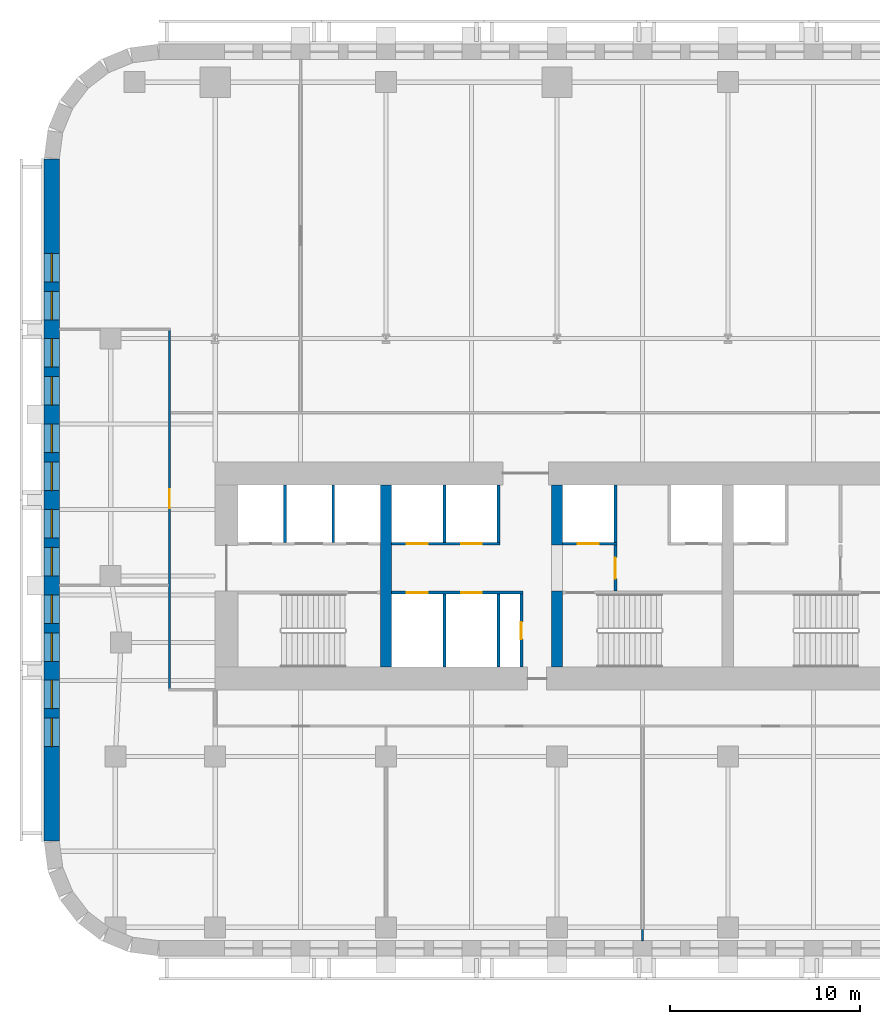
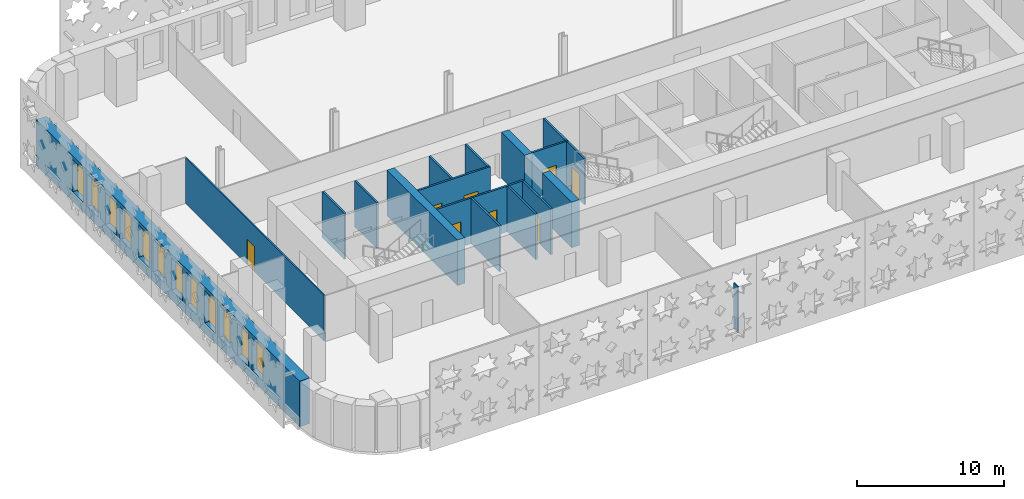
# One storey, part 3 of 13: 18 walls, 12 windows, 8 doors, 20 openings.
"""IFC4 building model written with IfcOpenShell, lengths in metres."""

from ifc_helpers import new_model, si_unit, direction, frame, frame_2d, origin, place, context, subcontext, project, spatial, rectangle, extrude, material, layer, layer_set, type_object, element, fill, save


model = new_model("IFC4")

# Units and contexts
model_context = context("Model", 3, precision=1e-05, world=origin(), true_north=direction((0.0, 1.0)))
body_context = subcontext(model_context, "Body", "Model", "MODEL_VIEW")
ifc_project = project(units=[si_unit("LENGTHUNIT", "METRE"), si_unit("AREAUNIT", "SQUARE_METRE"), si_unit("VOLUMEUNIT", "CUBIC_METRE"), si_unit("PLANEANGLEUNIT", "RADIAN"), si_unit("MASSUNIT", "GRAM", prefix="KILO")], contexts=[model_context])

# Site, building, storey
site_placement = place(None, origin())
site = spatial("IfcSite", under=ifc_project, at=site_placement, CompositionType="ELEMENT")
building_placement = place(site_placement, origin())
building = spatial("IfcBuilding", under=site, at=building_placement, Name="Zellij Exchange Tower", CompositionType="ELEMENT")
storey_placement = place(building_placement, frame((0.0, 0.0, 60.5)))
storey = spatial("IfcBuildingStorey", under=building, at=storey_placement, Name="L11", CompositionType="ELEMENT", Elevation=60.5)

# Walls
ifc_material_1 = material(Name="Concrete C70/85", Category="concrete")
ifc_layer_1 = layer(ifc_material_1, 0.60009765625)
ifc_layer_set_1 = layer_set([ifc_layer_1], Name="Concrete C70/85")
wall_type_1 = type_object("IfcWallType", Name="CORE-CW 600 C70/85", PredefinedType="SHEAR", material=ifc_layer_set_1)
wall_1_placement = place(storey_placement, frame((-18.0, -12.800048828125, 0.0), z_axis=(0.0, 0.0, 1.0), x_axis=(0.0, 1.0, 0.0)))
element("IfcWall", 1, at=wall_1_placement, inside=storey, type_object=wall_type_1, Name="Core cross wall x -18 L11", PredefinedType="SHEAR", context=body_context, shape_type="SweptSolid", body=[
    extrude(rectangle(XDim=9.60009765625, YDim=0.60009765625, at=frame_2d((4.800048828125, 0.0))), origin(), (0.0, 0.0, 1.0), 3.800048828125),
])
wall_2_placement = place(storey_placement, frame((-9.0, -12.800048828125, 0.0), z_axis=(0.0, 0.0, 1.0), x_axis=(0.0, 1.0, 0.0)))
element("IfcWall", 2, at=wall_2_placement, inside=storey, type_object=wall_type_1, Name="Core cross wall pier x -9 a L11", PredefinedType="SHEAR", context=body_context, shape_type="SweptSolid", body=[
    extrude(rectangle(XDim=4.0, YDim=0.60009765625, at=frame_2d((2.0, 0.0))), origin(), (0.0, 0.0, 1.0), 3.800048828125),
])
wall_3_placement = place(storey_placement, frame((-9.0, -6.375, 0.0), z_axis=(0.0, 0.0, 1.0), x_axis=(0.0, 1.0, 0.0)))
element("IfcWall", 3, at=wall_3_placement, inside=storey, type_object=wall_type_1, Name="Core cross wall pier x -9 b L11", PredefinedType="SHEAR", context=body_context, shape_type="SweptSolid", body=[
    extrude(rectangle(XDim=3.175048828125, YDim=0.60009765625, at=frame_2d((1.58740234375, 0.0))), origin(), (0.0, 0.0, 1.0), 3.800048828125),
])

# Wall, opening, door
ifc_material_2 = material(Name="Gypsum shaft wall system")
ifc_layer_2 = layer(ifc_material_2, 0.14990234375)
ifc_layer_set_2 = layer_set([ifc_layer_2], Name="Gypsum shaft wall system")
wall_type_2 = type_object("IfcWallType", Name="CORE-PW 150 Firefighting lobby wall", PredefinedType="PARTITIONING", material=ifc_layer_set_2)
wall_4_placement = place(storey_placement, frame((-5.925048828125, -8.800048828125, 0.0), z_axis=(0.0, 0.0, 1.0), x_axis=(0.0, 1.0, 0.0)))
wall_4 = element("IfcWall", 4, at=wall_4_placement, inside=storey, type_object=wall_type_2, Name="Firefighting lobby wall L11", PredefinedType="PARTITIONING", context=body_context, shape_type="SweptSolid", body=[
    extrude(rectangle(XDim=2.425048828125, YDim=0.14990234375, at=frame_2d((1.21240234375, 0.0))), origin(), (0.0, 0.0, 1.0), 3.800048828125),
])
opening_1_placement = place(wall_4_placement, frame((0.662109375, 0.0, 0.0)))
opening_1 = element("IfcOpeningElement", 5, at=opening_1_placement, cuts=wall_4, Name="Opening CA-07.15", PredefinedType="OPENING", context=body_context, shape_type="SweptSolid", body=[
    extrude(rectangle(XDim=1.10009765625, YDim=2.10009765625, at=frame_2d((0.550048828125, 1.050048828125))), frame((0.0, 0.0869140625, 0.0), z_axis=(0.0, -1.0, 0.0), x_axis=(1.0, 0.0, 0.0)), (0.0, 0.0, 1.0), 0.173828125),
])
ifc_material_3 = material(Name="Hollow metal fire door")
door_type_1 = type_object("IfcDoorType", Name="CORE-D F Firefighting lobby door 1100x2100 1 HR", OperationType="NOTDEFINED", PredefinedType="DOOR", material=ifc_material_3)
door_1_placement = place(opening_1_placement, origin())
door_1 = element("IfcDoor", 6, at=door_1_placement, inside=storey, type_object=door_type_1, Name="Firefighting lobby door CA-07.15", OperationType="SINGLE_SWING_LEFT", OverallHeight=2.10009765625, OverallWidth=1.10009765625, PredefinedType="DOOR", context=body_context, shape_type="SweptSolid", body=[
    extrude(rectangle(XDim=1.10009765625, YDim=2.10009765625, at=frame_2d((0.550048828125, 1.050048828125))), frame((0.0, 0.02490234375, 0.0), z_axis=(0.0, -1.0, 0.0), x_axis=(1.0, 0.0, 0.0)), (0.0, 0.0, 1.0), 0.050048828125),
])
fill(opening_1, door_1)

ifc_material_4 = material(Name="Gypsum board partition")
ifc_layer_3 = layer(ifc_material_4, 0.14990234375)
ifc_layer_set_3 = layer_set([ifc_layer_3], Name="Gypsum board partition")
wall_type_3 = type_object("IfcWallType", Name="CORE-PW 150 Lift lobby wall", PredefinedType="PARTITIONING", material=ifc_layer_set_3)
wall_5_placement = place(storey_placement, frame((-10.875, -12.800048828125, 0.0), z_axis=(0.0, 0.0, 1.0), x_axis=(0.0, 1.0, 0.0)))
wall_5 = element("IfcWall", 7, at=wall_5_placement, inside=storey, type_object=wall_type_3, Name="Lift lobby wall L11", PredefinedType="PARTITIONING", context=body_context, shape_type="SweptSolid", body=[
    extrude(rectangle(XDim=3.85009765625, YDim=0.14990234375, at=frame_2d((1.925048828125, 0.0))), origin(), (0.0, 0.0, 1.0), 3.800048828125),
])
opening_2_placement = place(wall_5_placement, frame((1.47509765625, 0.0, 0.0)))
opening_2 = element("IfcOpeningElement", 8, at=opening_2_placement, cuts=wall_5, Name="Opening CA-07.10", PredefinedType="OPENING", context=body_context, shape_type="SweptSolid", body=[
    extrude(rectangle(XDim=0.89990234375, YDim=2.10009765625, at=frame_2d((0.449951171875, 1.050048828125))), frame((0.0, 0.0869140625, 0.0), z_axis=(0.0, -1.0, 0.0), x_axis=(1.0, 0.0, 0.0)), (0.0, 0.0, 1.0), 0.173828125),
])
door_type_2 = type_object("IfcDoorType", Name="CORE-D RD Riser door 900x2100 1.5 HR", OperationType="NOTDEFINED", PredefinedType="DOOR", material=ifc_material_3)
door_2_placement = place(opening_2_placement, origin())
door_2 = element("IfcDoor", 9, at=door_2_placement, inside=storey, type_object=door_type_2, Name="Riser door CA-07.10", OperationType="SINGLE_SWING_RIGHT", OverallHeight=2.10009765625, OverallWidth=0.89990234375, PredefinedType="DOOR", context=body_context, shape_type="SweptSolid", body=[
    extrude(rectangle(XDim=0.89990234375, YDim=2.10009765625, at=frame_2d((0.449951171875, 1.050048828125))), frame((0.0, 0.02490234375, 0.0), z_axis=(0.0, -1.0, 0.0), x_axis=(1.0, 0.0, 0.0)), (0.0, 0.0, 1.0), 0.050048828125),
])
fill(opening_2, door_2)

# Walls
ifc_layer_4 = layer(ifc_material_2, 0.14990234375)
ifc_layer_set_4 = layer_set([ifc_layer_4], Name="Gypsum shaft wall system")
wall_type_4 = type_object("IfcWallType", Name="CORE-PW 150 Lift shaft wall", PredefinedType="PARTITIONING", material=ifc_layer_set_4)
for number, where, z_axis, x_axis, name in (
    (10, (-20.77490234375, -6.22509765625, 0.0), (0.0, 0.0, 1.0), (0.0, 1.0, 0.0), "Lift shaft wall L11"),
    (11, (-23.324951171875, -6.22509765625, 0.0), (0.0, 0.0, 1.0), (0.0, 1.0, 0.0), "Lift shaft wall L11"),
    (12, (-12.074951171875, -6.22509765625, 0.0), (0.0, 0.0, 1.0), (0.0, 1.0, 0.0), "Lift shaft wall L11"),
    (13, (-14.925048828125, -6.22509765625, 0.0), (0.0, 0.0, 1.0), (0.0, 1.0, 0.0), "Lift shaft wall L11"),
    (14, (-5.925048828125, -6.22509765625, 0.0), (0.0, 0.0, 1.0), (0.0, 1.0, 0.0), "Lift shaft wall L11"),
):
    element("IfcWall", number, at=place(storey_placement, frame(where, z_axis=z_axis, x_axis=x_axis)), inside=storey, type_object=wall_type_4, Name=name, PredefinedType="PARTITIONING", context=body_context, shape_type="SweptSolid", body=[
        extrude(rectangle(XDim=3.025146484375, YDim=0.14990234375, at=frame_2d((1.5126953125, 0.0))), origin(), (0.0, 0.0, 1.0), 3.800048828125),
    ])
for number, where, z_axis, x_axis, name in (
    (15, (-12.074951171875, -12.800048828125, 0.0), (0.0, 0.0, 1.0), (0.0, 1.0, 0.0), "Lift shaft wall L11"),
    (16, (-14.925048828125, -12.800048828125, 0.0), (0.0, 0.0, 1.0), (0.0, 1.0, 0.0), "Lift shaft wall L11"),
):
    element("IfcWall", number, at=place(storey_placement, frame(where, z_axis=z_axis, x_axis=x_axis)), inside=storey, type_object=wall_type_4, Name=name, PredefinedType="PARTITIONING", context=body_context, shape_type="SweptSolid", body=[
        extrude(rectangle(XDim=3.85009765625, YDim=0.14990234375, at=frame_2d((1.925048828125, 0.0))), origin(), (0.0, 0.0, 1.0), 3.800048828125),
    ])

# Wall, openings, doors
wall_6_placement = place(storey_placement, frame((-17.699951171875, -6.300048828125, 0.0), z_axis=(0.0, 0.0, 1.0), x_axis=(1.0, 0.0, 0.0)))
wall_6 = element("IfcWall", 17, at=wall_6_placement, inside=storey, type_object=wall_type_4, Name="Lift shaft wall L11", PredefinedType="PARTITIONING", context=body_context, shape_type="SweptSolid", body=[
    extrude(rectangle(XDim=5.699951171875, YDim=0.14990234375, at=frame_2d((2.85009765625, 0.0))), origin(), (0.0, 0.0, 1.0), 3.800048828125),
])
opening_3_placement = place(wall_6_placement, frame((0.800048828125, 0.0, 0.0)))
opening_3 = element("IfcOpeningElement", 18, at=opening_3_placement, cuts=wall_6, Name="Opening CA-07.07", PredefinedType="OPENING", context=body_context, shape_type="SweptSolid", body=[
    extrude(rectangle(XDim=1.10009765625, YDim=2.10009765625, at=frame_2d((0.550048828125, 1.050048828125))), frame((0.0, 0.0869140625, 0.0), z_axis=(0.0, -1.0, 0.0), x_axis=(1.0, 0.0, 0.0)), (0.0, 0.0, 1.0), 0.173828125),
])
opening_4_placement = place(wall_6_placement, frame((3.64990234375, 0.0, 0.0)))
opening_4 = element("IfcOpeningElement", 19, at=opening_4_placement, cuts=wall_6, Name="Opening CA-07.09", PredefinedType="OPENING", context=body_context, shape_type="SweptSolid", body=[
    extrude(rectangle(XDim=1.10009765625, YDim=2.10009765625, at=frame_2d((0.550048828125, 1.050048828125))), frame((0.0, 0.0869140625, 0.0), z_axis=(0.0, -1.0, 0.0), x_axis=(1.0, 0.0, 0.0)), (0.0, 0.0, 1.0), 0.173828125),
])
door_type_3 = type_object("IfcDoorType", Name="CORE-D LD Lift landing door 1100x2100 1.5 HR", OperationType="NOTDEFINED", PredefinedType="DOOR", material=ifc_material_3)
door_3_placement = place(opening_3_placement, origin())
door_3 = element("IfcDoor", 20, at=door_3_placement, inside=storey, type_object=door_type_3, Name="Lift landing door CA-07.07", OperationType="SLIDING_TO_LEFT", OverallHeight=2.10009765625, OverallWidth=1.10009765625, PredefinedType="DOOR", context=body_context, shape_type="SweptSolid", body=[
    extrude(rectangle(XDim=1.10009765625, YDim=2.10009765625, at=frame_2d((0.550048828125, 1.050048828125))), frame((0.0, 0.02490234375, 0.0), z_axis=(0.0, -1.0, 0.0), x_axis=(1.0, 0.0, 0.0)), (0.0, 0.0, 1.0), 0.050048828125),
])
fill(opening_3, door_3)
door_4_placement = place(opening_4_placement, origin())
door_4 = element("IfcDoor", 21, at=door_4_placement, inside=storey, type_object=door_type_3, Name="Lift landing door CA-07.09", OperationType="SLIDING_TO_LEFT", OverallHeight=2.10009765625, OverallWidth=1.10009765625, PredefinedType="DOOR", context=body_context, shape_type="SweptSolid", body=[
    extrude(rectangle(XDim=1.10009765625, YDim=2.10009765625, at=frame_2d((0.550048828125, 1.050048828125))), frame((0.0, 0.02490234375, 0.0), z_axis=(0.0, -1.0, 0.0), x_axis=(1.0, 0.0, 0.0)), (0.0, 0.0, 1.0), 0.050048828125),
])
fill(opening_4, door_4)

# Wall, opening, door
wall_7_placement = place(storey_placement, frame((-8.699951171875, -6.300048828125, 0.0), z_axis=(0.0, 0.0, 1.0), x_axis=(1.0, 0.0, 0.0)))
wall_7 = element("IfcWall", 22, at=wall_7_placement, inside=storey, type_object=wall_type_4, Name="Lift shaft wall L11", PredefinedType="PARTITIONING", context=body_context, shape_type="SweptSolid", body=[
    extrude(rectangle(XDim=2.849853515625, YDim=0.14990234375, at=frame_2d((1.4248046875, 0.0))), origin(), (0.0, 0.0, 1.0), 3.800048828125),
])
opening_5_placement = place(wall_7_placement, frame((0.800048828125, 0.0, 0.0)))
opening_5 = element("IfcOpeningElement", 23, at=opening_5_placement, cuts=wall_7, Name="Opening CA-07.14", PredefinedType="OPENING", context=body_context, shape_type="SweptSolid", body=[
    extrude(rectangle(XDim=1.10009765625, YDim=2.10009765625, at=frame_2d((0.550048828125, 1.050048828125))), frame((0.0, 0.0869140625, 0.0), z_axis=(0.0, -1.0, 0.0), x_axis=(1.0, 0.0, 0.0)), (0.0, 0.0, 1.0), 0.173828125),
])
door_5_placement = place(opening_5_placement, origin())
door_5 = element("IfcDoor", 24, at=door_5_placement, inside=storey, type_object=door_type_3, Name="Lift landing door CA-07.14", OperationType="SLIDING_TO_RIGHT", OverallHeight=2.10009765625, OverallWidth=1.10009765625, PredefinedType="DOOR", context=body_context, shape_type="SweptSolid", body=[
    extrude(rectangle(XDim=1.10009765625, YDim=2.10009765625, at=frame_2d((0.550048828125, 1.050048828125))), frame((0.0, 0.02490234375, 0.0), z_axis=(0.0, -1.0, 0.0), x_axis=(1.0, 0.0, 0.0)), (0.0, 0.0, 1.0), 0.050048828125),
])
fill(opening_5, door_5)

# Wall, openings, doors
wall_8_placement = place(storey_placement, frame((-17.699951171875, -8.875, 0.0), z_axis=(0.0, 0.0, 1.0), x_axis=(1.0, 0.0, 0.0)))
wall_8 = element("IfcWall", 25, at=wall_8_placement, inside=storey, type_object=wall_type_4, Name="Lift shaft wall L11", PredefinedType="PARTITIONING", context=body_context, shape_type="SweptSolid", body=[
    extrude(rectangle(XDim=6.89990234375, YDim=0.14990234375, at=frame_2d((3.449951171875, 0.0))), origin(), (0.0, 0.0, 1.0), 3.800048828125),
])
opening_6_placement = place(wall_8_placement, frame((0.800048828125, 0.0, 0.0)))
opening_6 = element("IfcOpeningElement", 26, at=opening_6_placement, cuts=wall_8, Name="Opening CA-07.06", PredefinedType="OPENING", context=body_context, shape_type="SweptSolid", body=[
    extrude(rectangle(XDim=1.10009765625, YDim=2.10009765625, at=frame_2d((0.550048828125, 1.050048828125))), frame((0.0, 0.0869140625, 0.0), z_axis=(0.0, -1.0, 0.0), x_axis=(1.0, 0.0, 0.0)), (0.0, 0.0, 1.0), 0.173828125),
])
opening_7_placement = place(wall_8_placement, frame((3.64990234375, 0.0, 0.0)))
opening_7 = element("IfcOpeningElement", 27, at=opening_7_placement, cuts=wall_8, Name="Opening CA-07.08", PredefinedType="OPENING", context=body_context, shape_type="SweptSolid", body=[
    extrude(rectangle(XDim=1.10009765625, YDim=2.10009765625, at=frame_2d((0.550048828125, 1.050048828125))), frame((0.0, 0.0869140625, 0.0), z_axis=(0.0, -1.0, 0.0), x_axis=(1.0, 0.0, 0.0)), (0.0, 0.0, 1.0), 0.173828125),
])
door_6_placement = place(opening_6_placement, origin())
door_6 = element("IfcDoor", 28, at=door_6_placement, inside=storey, type_object=door_type_3, Name="Lift landing door CA-07.06", OperationType="SLIDING_TO_RIGHT", OverallHeight=2.10009765625, OverallWidth=1.10009765625, PredefinedType="DOOR", context=body_context, shape_type="SweptSolid", body=[
    extrude(rectangle(XDim=1.10009765625, YDim=2.10009765625, at=frame_2d((0.550048828125, 1.050048828125))), frame((0.0, 0.02490234375, 0.0), z_axis=(0.0, -1.0, 0.0), x_axis=(1.0, 0.0, 0.0)), (0.0, 0.0, 1.0), 0.050048828125),
])
fill(opening_6, door_6)
door_7_placement = place(opening_7_placement, origin())
door_7 = element("IfcDoor", 29, at=door_7_placement, inside=storey, type_object=door_type_3, Name="Lift landing door CA-07.08", OperationType="SLIDING_TO_RIGHT", OverallHeight=2.10009765625, OverallWidth=1.10009765625, PredefinedType="DOOR", context=body_context, shape_type="SweptSolid", body=[
    extrude(rectangle(XDim=1.10009765625, YDim=2.10009765625, at=frame_2d((0.550048828125, 1.050048828125))), frame((0.0, 0.02490234375, 0.0), z_axis=(0.0, -1.0, 0.0), x_axis=(1.0, 0.0, 0.0)), (0.0, 0.0, 1.0), 0.050048828125),
])
fill(opening_7, door_7)

# Wall, openings, windows
ifc_material_5 = material(Name="Precast concrete C40/50", Category="concrete")
ifc_layer_5 = layer(ifc_material_5, 0.800048828125)
ifc_layer_set_5 = layer_set([ifc_layer_5], Name="Precast concrete C40/50")
wall_type_5 = type_object("IfcWallType", Name="ENV-EW1 Precast stone-piered wall 800", PredefinedType="SOLIDWALL", material=ifc_layer_set_5)
wall_9_placement = place(storey_placement, frame((-35.60009765625, 13.947509765625, 0.0), z_axis=(0.0, 0.0, 1.0), x_axis=(0.0, -1.0, 0.0)))
wall_9 = element("IfcWall", 30, at=wall_9_placement, inside=storey, type_object=wall_type_5, Name="fac.L11.21", PredefinedType="SOLIDWALL", context=body_context, shape_type="SweptSolid", body=[
    extrude(rectangle(XDim=35.89501953125, YDim=0.800048828125, at=frame_2d((17.947509765625, 0.0))), origin(), (0.0, 0.0, 1.0), 3.800048828125),
])
opening_8_placement = place(wall_9_placement, frame((4.9638671875, 0.0, 0.800048828125)))
opening_8 = element("IfcOpeningElement", 31, at=opening_8_placement, cuts=wall_9, Name="Opening FZ1.61", PredefinedType="OPENING", context=body_context, shape_type="SweptSolid", body=[
    extrude(rectangle(XDim=1.5, YDim=2.699951171875, at=frame_2d((0.75, 1.35009765625))), frame((0.0, 0.412109375, 0.0), z_axis=(0.0, -1.0, 0.0), x_axis=(1.0, 0.0, 0.0)), (0.0, 0.0, 1.0), 0.823974609375),
])
opening_9_placement = place(wall_9_placement, frame((6.9638671875, 0.0, 0.800048828125)))
opening_9 = element("IfcOpeningElement", 32, at=opening_9_placement, cuts=wall_9, Name="Opening FZ1.62", PredefinedType="OPENING", context=body_context, shape_type="SweptSolid", body=[
    extrude(rectangle(XDim=1.5, YDim=2.699951171875, at=frame_2d((0.75, 1.35009765625))), frame((0.0, 0.412109375, 0.0), z_axis=(0.0, -1.0, 0.0), x_axis=(1.0, 0.0, 0.0)), (0.0, 0.0, 1.0), 0.823974609375),
])
opening_10_placement = place(wall_9_placement, frame((9.45751953125, 0.0, 0.800048828125)))
opening_10 = element("IfcOpeningElement", 33, at=opening_10_placement, cuts=wall_9, Name="Opening FZ1.63", PredefinedType="OPENING", context=body_context, shape_type="SweptSolid", body=[
    extrude(rectangle(XDim=1.5, YDim=2.699951171875, at=frame_2d((0.75, 1.35009765625))), frame((0.0, 0.412109375, 0.0), z_axis=(0.0, -1.0, 0.0), x_axis=(1.0, 0.0, 0.0)), (0.0, 0.0, 1.0), 0.823974609375),
])
opening_11_placement = place(wall_9_placement, frame((11.45751953125, 0.0, 0.800048828125)))
opening_11 = element("IfcOpeningElement", 34, at=opening_11_placement, cuts=wall_9, Name="Opening FZ1.64", PredefinedType="OPENING", context=body_context, shape_type="SweptSolid", body=[
    extrude(rectangle(XDim=1.5, YDim=2.699951171875, at=frame_2d((0.75, 1.35009765625))), frame((0.0, 0.412109375, 0.0), z_axis=(0.0, -1.0, 0.0), x_axis=(1.0, 0.0, 0.0)), (0.0, 0.0, 1.0), 0.823974609375),
])
opening_12_placement = place(wall_9_placement, frame((13.950927734375, 0.0, 0.800048828125)))
opening_12 = element("IfcOpeningElement", 35, at=opening_12_placement, cuts=wall_9, Name="Opening FZ1.65", PredefinedType="OPENING", context=body_context, shape_type="SweptSolid", body=[
    extrude(rectangle(XDim=1.5, YDim=2.699951171875, at=frame_2d((0.75, 1.35009765625))), frame((0.0, 0.412109375, 0.0), z_axis=(0.0, -1.0, 0.0), x_axis=(1.0, 0.0, 0.0)), (0.0, 0.0, 1.0), 0.823974609375),
])
opening_13_placement = place(wall_9_placement, frame((15.95068359375, 0.0, 0.800048828125)))
opening_13 = element("IfcOpeningElement", 36, at=opening_13_placement, cuts=wall_9, Name="Opening FZ1.66", PredefinedType="OPENING", context=body_context, shape_type="SweptSolid", body=[
    extrude(rectangle(XDim=1.5, YDim=2.699951171875, at=frame_2d((0.75, 1.35009765625))), frame((0.0, 0.412109375, 0.0), z_axis=(0.0, -1.0, 0.0), x_axis=(1.0, 0.0, 0.0)), (0.0, 0.0, 1.0), 0.823974609375),
])
opening_14_placement = place(wall_9_placement, frame((18.4443359375, 0.0, 0.800048828125)))
opening_14 = element("IfcOpeningElement", 37, at=opening_14_placement, cuts=wall_9, Name="Opening FZ1.67", PredefinedType="OPENING", context=body_context, shape_type="SweptSolid", body=[
    extrude(rectangle(XDim=1.5, YDim=2.699951171875, at=frame_2d((0.75, 1.35009765625))), frame((0.0, 0.412109375, 0.0), z_axis=(0.0, -1.0, 0.0), x_axis=(1.0, 0.0, 0.0)), (0.0, 0.0, 1.0), 0.823974609375),
])
opening_15_placement = place(wall_9_placement, frame((20.4443359375, 0.0, 0.800048828125)))
opening_15 = element("IfcOpeningElement", 38, at=opening_15_placement, cuts=wall_9, Name="Opening FZ1.68", PredefinedType="OPENING", context=body_context, shape_type="SweptSolid", body=[
    extrude(rectangle(XDim=1.5, YDim=2.699951171875, at=frame_2d((0.75, 1.35009765625))), frame((0.0, 0.412109375, 0.0), z_axis=(0.0, -1.0, 0.0), x_axis=(1.0, 0.0, 0.0)), (0.0, 0.0, 1.0), 0.823974609375),
])
opening_16_placement = place(wall_9_placement, frame((22.937744140625, 0.0, 0.800048828125)))
opening_16 = element("IfcOpeningElement", 39, at=opening_16_placement, cuts=wall_9, Name="Opening FZ1.69", PredefinedType="OPENING", context=body_context, shape_type="SweptSolid", body=[
    extrude(rectangle(XDim=1.5, YDim=2.699951171875, at=frame_2d((0.75, 1.35009765625))), frame((0.0, 0.412109375, 0.0), z_axis=(0.0, -1.0, 0.0), x_axis=(1.0, 0.0, 0.0)), (0.0, 0.0, 1.0), 0.823974609375),
])
opening_17_placement = place(wall_9_placement, frame((24.937744140625, 0.0, 0.800048828125)))
opening_17 = element("IfcOpeningElement", 40, at=opening_17_placement, cuts=wall_9, Name="Opening FZ1.70", PredefinedType="OPENING", context=body_context, shape_type="SweptSolid", body=[
    extrude(rectangle(XDim=1.5, YDim=2.699951171875, at=frame_2d((0.75, 1.35009765625))), frame((0.0, 0.412109375, 0.0), z_axis=(0.0, -1.0, 0.0), x_axis=(1.0, 0.0, 0.0)), (0.0, 0.0, 1.0), 0.823974609375),
])
opening_18_placement = place(wall_9_placement, frame((27.43115234375, 0.0, 0.800048828125)))
opening_18 = element("IfcOpeningElement", 41, at=opening_18_placement, cuts=wall_9, Name="Opening FZ1.71", PredefinedType="OPENING", context=body_context, shape_type="SweptSolid", body=[
    extrude(rectangle(XDim=1.5, YDim=2.699951171875, at=frame_2d((0.75, 1.35009765625))), frame((0.0, 0.412109375, 0.0), z_axis=(0.0, -1.0, 0.0), x_axis=(1.0, 0.0, 0.0)), (0.0, 0.0, 1.0), 0.823974609375),
])
opening_19_placement = place(wall_9_placement, frame((29.43115234375, 0.0, 0.800048828125)))
opening_19 = element("IfcOpeningElement", 42, at=opening_19_placement, cuts=wall_9, Name="Opening FZ1.72", PredefinedType="OPENING", context=body_context, shape_type="SweptSolid", body=[
    extrude(rectangle(XDim=1.5, YDim=2.699951171875, at=frame_2d((0.75, 1.35009765625))), frame((0.0, 0.412109375, 0.0), z_axis=(0.0, -1.0, 0.0), x_axis=(1.0, 0.0, 0.0)), (0.0, 0.0, 1.0), 0.823974609375),
])
ifc_material_6 = material(Name="Aluminium frame with insulating glass", Category="aluminium")
window_type = type_object("IfcWindowType", Name="ENV-W6 Window 1500x2700", PartitioningType="SINGLE_PANEL", PredefinedType="WINDOW", material=ifc_material_6)
window_1_placement = place(opening_8_placement, origin())
window_1 = element("IfcWindow", 43, at=window_1_placement, inside=storey, type_object=window_type, Name="Window FZ1.61", OverallHeight=2.699951171875, OverallWidth=1.5, PartitioningType="SINGLE_PANEL", PredefinedType="WINDOW", context=body_context, shape_type="SweptSolid", body=[
    extrude(rectangle(XDim=1.5, YDim=2.699951171875, at=frame_2d((0.75, 1.35009765625))), frame((0.0, 0.030029296875, 0.0), z_axis=(0.0, -1.0, 0.0), x_axis=(1.0, 0.0, 0.0)), (0.0, 0.0, 1.0), 0.06005859375),
])
fill(opening_8, window_1)
window_2_placement = place(opening_9_placement, origin())
window_2 = element("IfcWindow", 44, at=window_2_placement, inside=storey, type_object=window_type, Name="Window FZ1.62", OverallHeight=2.699951171875, OverallWidth=1.5, PartitioningType="SINGLE_PANEL", PredefinedType="WINDOW", context=body_context, shape_type="SweptSolid", body=[
    extrude(rectangle(XDim=1.5, YDim=2.699951171875, at=frame_2d((0.75, 1.35009765625))), frame((0.0, 0.030029296875, 0.0), z_axis=(0.0, -1.0, 0.0), x_axis=(1.0, 0.0, 0.0)), (0.0, 0.0, 1.0), 0.06005859375),
])
fill(opening_9, window_2)
window_3_placement = place(opening_10_placement, origin())
window_3 = element("IfcWindow", 45, at=window_3_placement, inside=storey, type_object=window_type, Name="Window FZ1.63", OverallHeight=2.699951171875, OverallWidth=1.5, PartitioningType="SINGLE_PANEL", PredefinedType="WINDOW", context=body_context, shape_type="SweptSolid", body=[
    extrude(rectangle(XDim=1.5, YDim=2.699951171875, at=frame_2d((0.75, 1.35009765625))), frame((0.0, 0.030029296875, 0.0), z_axis=(0.0, -1.0, 0.0), x_axis=(1.0, 0.0, 0.0)), (0.0, 0.0, 1.0), 0.06005859375),
])
fill(opening_10, window_3)
window_4_placement = place(opening_11_placement, origin())
window_4 = element("IfcWindow", 46, at=window_4_placement, inside=storey, type_object=window_type, Name="Window FZ1.64", OverallHeight=2.699951171875, OverallWidth=1.5, PartitioningType="SINGLE_PANEL", PredefinedType="WINDOW", context=body_context, shape_type="SweptSolid", body=[
    extrude(rectangle(XDim=1.5, YDim=2.699951171875, at=frame_2d((0.75, 1.35009765625))), frame((0.0, 0.030029296875, 0.0), z_axis=(0.0, -1.0, 0.0), x_axis=(1.0, 0.0, 0.0)), (0.0, 0.0, 1.0), 0.06005859375),
])
fill(opening_11, window_4)
window_5_placement = place(opening_12_placement, origin())
window_5 = element("IfcWindow", 47, at=window_5_placement, inside=storey, type_object=window_type, Name="Window FZ1.65", OverallHeight=2.699951171875, OverallWidth=1.5, PartitioningType="SINGLE_PANEL", PredefinedType="WINDOW", context=body_context, shape_type="SweptSolid", body=[
    extrude(rectangle(XDim=1.5, YDim=2.699951171875, at=frame_2d((0.75, 1.35009765625))), frame((0.0, 0.030029296875, 0.0), z_axis=(0.0, -1.0, 0.0), x_axis=(1.0, 0.0, 0.0)), (0.0, 0.0, 1.0), 0.06005859375),
])
fill(opening_12, window_5)
window_6_placement = place(opening_13_placement, origin())
window_6 = element("IfcWindow", 48, at=window_6_placement, inside=storey, type_object=window_type, Name="Window FZ1.66", OverallHeight=2.699951171875, OverallWidth=1.5, PartitioningType="SINGLE_PANEL", PredefinedType="WINDOW", context=body_context, shape_type="SweptSolid", body=[
    extrude(rectangle(XDim=1.5, YDim=2.699951171875, at=frame_2d((0.75, 1.35009765625))), frame((0.0, 0.030029296875, 0.0), z_axis=(0.0, -1.0, 0.0), x_axis=(1.0, 0.0, 0.0)), (0.0, 0.0, 1.0), 0.06005859375),
])
fill(opening_13, window_6)
window_7_placement = place(opening_14_placement, origin())
window_7 = element("IfcWindow", 49, at=window_7_placement, inside=storey, type_object=window_type, Name="Window FZ1.67", OverallHeight=2.699951171875, OverallWidth=1.5, PartitioningType="SINGLE_PANEL", PredefinedType="WINDOW", context=body_context, shape_type="SweptSolid", body=[
    extrude(rectangle(XDim=1.5, YDim=2.699951171875, at=frame_2d((0.75, 1.35009765625))), frame((0.0, 0.030029296875, 0.0), z_axis=(0.0, -1.0, 0.0), x_axis=(1.0, 0.0, 0.0)), (0.0, 0.0, 1.0), 0.06005859375),
])
fill(opening_14, window_7)
window_8_placement = place(opening_15_placement, origin())
window_8 = element("IfcWindow", 50, at=window_8_placement, inside=storey, type_object=window_type, Name="Window FZ1.68", OverallHeight=2.699951171875, OverallWidth=1.5, PartitioningType="SINGLE_PANEL", PredefinedType="WINDOW", context=body_context, shape_type="SweptSolid", body=[
    extrude(rectangle(XDim=1.5, YDim=2.699951171875, at=frame_2d((0.75, 1.35009765625))), frame((0.0, 0.030029296875, 0.0), z_axis=(0.0, -1.0, 0.0), x_axis=(1.0, 0.0, 0.0)), (0.0, 0.0, 1.0), 0.06005859375),
])
fill(opening_15, window_8)
window_9_placement = place(opening_16_placement, origin())
window_9 = element("IfcWindow", 51, at=window_9_placement, inside=storey, type_object=window_type, Name="Window FZ1.69", OverallHeight=2.699951171875, OverallWidth=1.5, PartitioningType="SINGLE_PANEL", PredefinedType="WINDOW", context=body_context, shape_type="SweptSolid", body=[
    extrude(rectangle(XDim=1.5, YDim=2.699951171875, at=frame_2d((0.75, 1.35009765625))), frame((0.0, 0.030029296875, 0.0), z_axis=(0.0, -1.0, 0.0), x_axis=(1.0, 0.0, 0.0)), (0.0, 0.0, 1.0), 0.06005859375),
])
fill(opening_16, window_9)
window_10_placement = place(opening_17_placement, origin())
window_10 = element("IfcWindow", 52, at=window_10_placement, inside=storey, type_object=window_type, Name="Window FZ1.70", OverallHeight=2.699951171875, OverallWidth=1.5, PartitioningType="SINGLE_PANEL", PredefinedType="WINDOW", context=body_context, shape_type="SweptSolid", body=[
    extrude(rectangle(XDim=1.5, YDim=2.699951171875, at=frame_2d((0.75, 1.35009765625))), frame((0.0, 0.030029296875, 0.0), z_axis=(0.0, -1.0, 0.0), x_axis=(1.0, 0.0, 0.0)), (0.0, 0.0, 1.0), 0.06005859375),
])
fill(opening_17, window_10)
window_11_placement = place(opening_18_placement, origin())
window_11 = element("IfcWindow", 53, at=window_11_placement, inside=storey, type_object=window_type, Name="Window FZ1.71", OverallHeight=2.699951171875, OverallWidth=1.5, PartitioningType="SINGLE_PANEL", PredefinedType="WINDOW", context=body_context, shape_type="SweptSolid", body=[
    extrude(rectangle(XDim=1.5, YDim=2.699951171875, at=frame_2d((0.75, 1.35009765625))), frame((0.0, 0.030029296875, 0.0), z_axis=(0.0, -1.0, 0.0), x_axis=(1.0, 0.0, 0.0)), (0.0, 0.0, 1.0), 0.06005859375),
])
fill(opening_18, window_11)
window_12_placement = place(opening_19_placement, origin())
window_12 = element("IfcWindow", 54, at=window_12_placement, inside=storey, type_object=window_type, Name="Window FZ1.72", OverallHeight=2.699951171875, OverallWidth=1.5, PartitioningType="SINGLE_PANEL", PredefinedType="WINDOW", context=body_context, shape_type="SweptSolid", body=[
    extrude(rectangle(XDim=1.5, YDim=2.699951171875, at=frame_2d((0.75, 1.35009765625))), frame((0.0, 0.030029296875, 0.0), z_axis=(0.0, -1.0, 0.0), x_axis=(1.0, 0.0, 0.0)), (0.0, 0.0, 1.0), 0.06005859375),
])
fill(opening_19, window_12)

# Wall
ifc_material_7 = material(Name="Gypsum board partition on steel studs", Category="steel")
ifc_layer_6 = layer(ifc_material_7, 0.10009765625)
ifc_layer_set_6 = layer_set([ifc_layer_6], Name="Gypsum board partition on steel studs")
wall_type_6 = type_object("IfcWallType", Name="FIT-PARTITION-100", PredefinedType="PARTITIONING", material=ifc_layer_set_6)
wall_10_placement = place(storey_placement, frame((-4.5, -27.199951171875, 0.0), z_axis=(0.0, 0.0, 1.0), x_axis=(0.0, 1.0, 0.0)))
element("IfcWall", 55, at=wall_10_placement, inside=storey, type_object=wall_type_6, Name="FIT-PARTITION-100 003", PredefinedType="PARTITIONING", context=body_context, shape_type="SweptSolid", body=[
    extrude(rectangle(XDim=0.58544921875, YDim=0.10009765625, at=frame_2d((0.292724609375, 0.0))), origin(), (0.0, 0.0, 1.0), 3.800048828125),
])

# Wall, opening, door
wall_11_placement = place(storey_placement, frame((-29.39990234375, -13.949951171875, 0.0), z_axis=(0.0, 0.0, 1.0), x_axis=(0.0, 1.0, 0.0)))
wall_11 = element("IfcWall", 56, at=wall_11_placement, inside=storey, type_object=wall_type_6, Name="FIT-PARTITION-100 011", PredefinedType="PARTITIONING", context=body_context, shape_type="SweptSolid", body=[
    extrude(rectangle(XDim=18.889892578125, YDim=0.10009765625, at=frame_2d((9.44482421875, 0.0))), origin(), (0.0, 0.0, 1.0), 3.800048828125),
])
opening_20_placement = place(wall_11_placement, frame((9.510009765625, 0.0, 0.0)))
opening_20 = element("IfcOpeningElement", 57, at=opening_20_placement, cuts=wall_11, Name="Opening TA.06", PredefinedType="OPENING", context=body_context, shape_type="SweptSolid", body=[
    extrude(rectangle(XDim=1.0, YDim=2.10009765625, at=frame_2d((0.5, 1.050048828125))), frame((0.0, 0.06201171875, 0.0), z_axis=(0.0, -1.0, 0.0), x_axis=(1.0, 0.0, 0.0)), (0.0, 0.0, 1.0), 0.1240234375),
])
ifc_material_8 = material(Name="Timber door set", Category="wood")
door_type_4 = type_object("IfcDoorType", Name="FIT-D2-WIDE-1000X2100", OperationType="SINGLE_SWING_LEFT", PredefinedType="DOOR", material=ifc_material_8)
door_8_placement = place(opening_20_placement, origin())
door_8 = element("IfcDoor", 58, at=door_8_placement, inside=storey, type_object=door_type_4, Name="Door TA.06", OperationType="SINGLE_SWING_LEFT", OverallHeight=2.10009765625, OverallWidth=1.0, PredefinedType="DOOR", context=body_context, shape_type="SweptSolid", body=[
    extrude(rectangle(XDim=1.0, YDim=2.10009765625, at=frame_2d((0.5, 1.050048828125))), frame((0.0, 0.02490234375, 0.0), z_axis=(0.0, -1.0, 0.0), x_axis=(1.0, 0.0, 0.0)), (0.0, 0.0, 1.0), 0.050048828125),
])
fill(opening_20, door_8)

save(model, "model.ifc")
